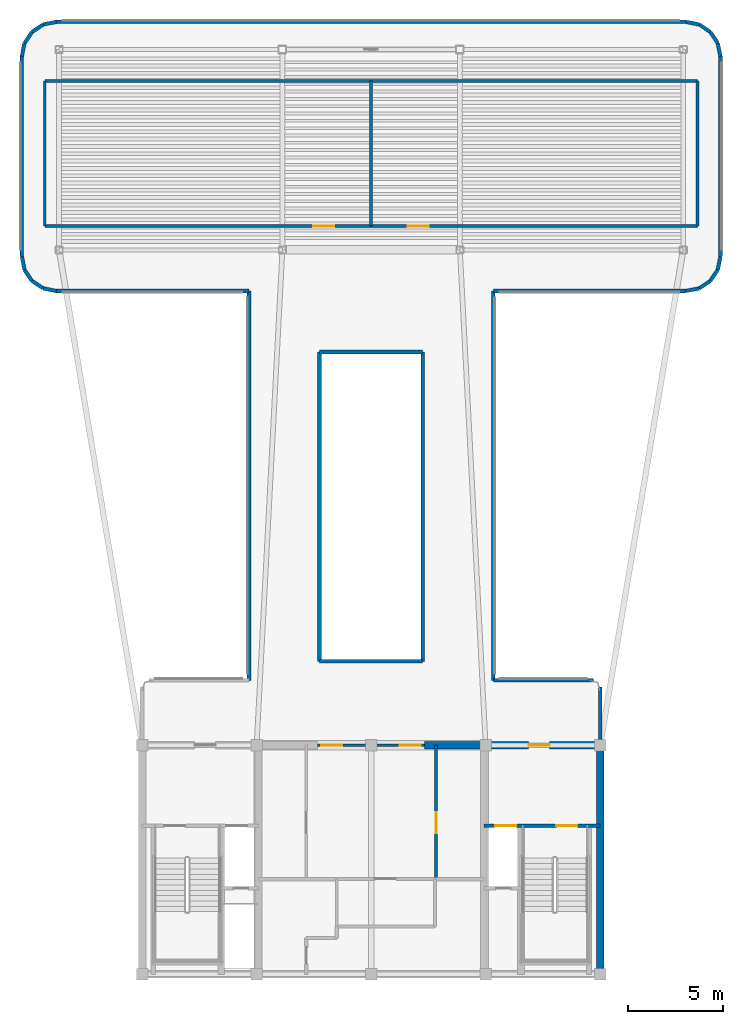
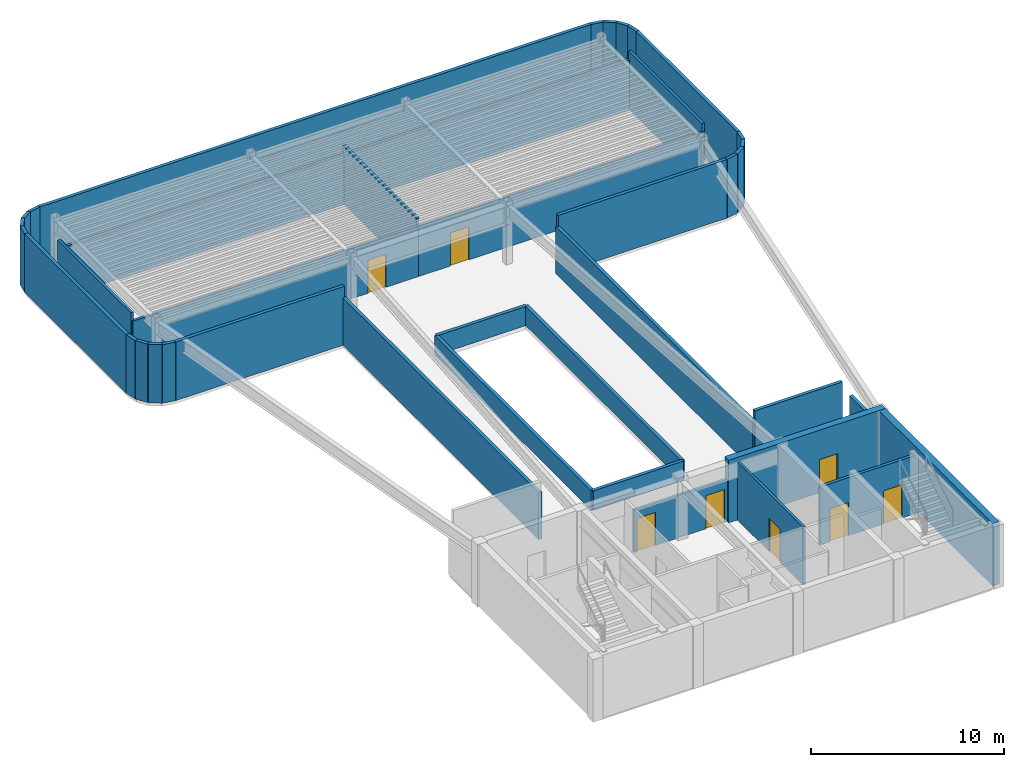
# One storey, part 3 of 6: 41 walls, 8 doors, 8 openings.
"""IFC4 building model written with IfcOpenShell, lengths in metres."""

from ifc_helpers import new_model, si_unit, direction, frame, frame_2d, origin, origin_2d, place, context, subcontext, project, spatial, rectangle, extrude, source, transform, mapped, material, layer, layer_set, type_object, element, fill, save


model = new_model("IFC4")

# Units and contexts
model_context = context("Model", 3, precision=1e-05, world=origin(), true_north=direction((0.0, 1.0)))
body_context = subcontext(model_context, "Body", "Model", "MODEL_VIEW")
ifc_project = project(units=[si_unit("LENGTHUNIT", "METRE"), si_unit("AREAUNIT", "SQUARE_METRE"), si_unit("VOLUMEUNIT", "CUBIC_METRE"), si_unit("PLANEANGLEUNIT", "RADIAN"), si_unit("MASSUNIT", "GRAM", prefix="KILO")], contexts=[model_context])

# Site, building, storey
site_placement = place(None, origin())
site = spatial("IfcSite", under=ifc_project, at=site_placement, CompositionType="ELEMENT")
building_placement = place(site_placement, origin())
building = spatial("IfcBuilding", under=site, at=building_placement, Name="Brelvock Crest Care Tower", CompositionType="ELEMENT")
storey_placement = place(building_placement, frame((0.0, 0.0, 295.919921875)))
storey = spatial("IfcBuildingStorey", under=building, at=storey_placement, Name="L75", CompositionType="ELEMENT", Elevation=295.919921875)

# Wall
ifc_material_1 = material(Name="Concrete S65 (65 MPa)", Category="concrete")
ifc_layer_1 = layer(ifc_material_1, 0.39990234375, Name="WL-CS4")
ifc_layer_set_1 = layer_set([ifc_layer_1], Name="Concrete S65 (65 MPa)")
wall_type_1 = type_object("IfcWallType", Name="WL-CS4", PredefinedType="SHEAR", material=ifc_layer_set_1)
wall_1_placement = place(storey_placement, frame((48.0, 18.0, 0.0), z_axis=(0.0, 0.0, 1.0), x_axis=(0.0, -1.0, 0.0)))
element("IfcWall", 1, at=wall_1_placement, inside=storey, type_object=wall_type_1, Name="L75 Core East Shear Wall", PredefinedType="SHEAR", context=body_context, shape_type="SweptSolid", body=[
    extrude(rectangle(XDim=12.0, YDim=0.39990234375, at=frame_2d((6.0, 0.0))), origin(), (0.0, 0.0, 1.0), 3.9599609375),
])

# Wall, opening, door
wall_2_placement = place(storey_placement, frame((38.800048828125, 18.0, 0.0), z_axis=(0.0, 0.0, 1.0), x_axis=(1.0, 0.0, 0.0)))
wall_2 = element("IfcWall", 2, at=wall_2_placement, inside=storey, type_object=wall_type_1, Name="L75 Core North-East Shear Wall", PredefinedType="SHEAR", context=body_context, shape_type="SweptSolid", body=[
    extrude(rectangle(XDim=9.39990234375, YDim=0.39990234375, at=frame_2d((4.699951171875, 0.0))), origin(), (0.0, 0.0, 1.0), 3.9599609375),
])
opening_1_placement = place(wall_2_placement, frame((5.449951171875, 0.0, 0.0)))
opening_1 = element("IfcOpeningElement", 3, at=opening_1_placement, cuts=wall_2, Name="Opening FD-1", PredefinedType="OPENING", context=body_context, shape_type="SweptSolid", body=[
    extrude(rectangle(XDim=1.10009765625, YDim=2.10009765625, at=origin_2d()), frame((0.550048828125, 0.2099609375, 1.050048828125), z_axis=(0.0, -1.0, 0.0), x_axis=(1.0, 0.0, 0.0)), (0.0, 0.0, 1.0), 0.419921875),
])
ifc_material_2 = material(Name="Steel Grade 350", Category="steel")
door_type_1 = type_object("IfcDoorType", Name="DR-FFL1", OperationType="NOTDEFINED", PredefinedType="DOOR", material=ifc_material_2)
shared_shape_1 = source(origin(), body_context, "Body", "SweptSolid", [
    extrude(rectangle(XDim=1.10009765625, YDim=2.10009765625, at=origin_2d()), frame((0.550048828125, 0.02490234375, 1.050048828125), z_axis=(0.0, -1.0, 0.0), x_axis=(1.0, 0.0, 0.0)), (0.0, 0.0, 1.0), 0.050048828125),
])
door_1_placement = place(opening_1_placement, origin())
door_1 = element("IfcDoor", 4, at=door_1_placement, inside=storey, type_object=door_type_1, Name="L75 Firefighting Lobby FFL-2 Exit Door", OperationType="SINGLE_SWING_RIGHT", OverallHeight=2.10009765625, OverallWidth=1.10009765625, PredefinedType="DOOR", context=body_context, shape_type="MappedRepresentation", body=[
    mapped(shared_shape_1, transform((0.0, 0.0, 0.0), x_axis=(1.0, 0.0, 0.0), y_axis=(0.0, 1.0, 0.0), z_axis=(0.0, 0.0, 1.0), scale=1.0)),
])
fill(opening_1, door_1)

# Walls
ifc_material_3 = material(Name="Precast concrete N40 (40 MPa)", Category="concrete")
ifc_layer_2 = layer(ifc_material_3, 0.195068359375, Name="WL-EX3")
ifc_layer_set_2 = layer_set([ifc_layer_2], Name="Precast concrete N40 (40 MPa)")
wall_type_2 = type_object("IfcWallType", Name="WL-EX3", PredefinedType="SOLIDWALL", material=ifc_layer_set_2)
wall_3_placement = place(storey_placement, frame((48.0, 21.050048828125, 0.0), z_axis=(0.0, 0.0, 1.0), x_axis=(0.0, -1.0, 0.0)))
element("IfcWall", 5, at=wall_3_placement, inside=storey, type_object=wall_type_2, Name="L75 Crown and Plant Cladding Wall 02", PredefinedType="SOLIDWALL", context=body_context, shape_type="SweptSolid", body=[
    extrude(rectangle(XDim=2.77001953125, YDim=0.195068359375, at=frame_2d((1.385009765625, 0.0))), origin(), (0.0, 0.0, 1.0), 2.898193359375),
])
wall_4_placement = place(storey_placement, frame((29.60009765625, 21.39990234375, 0.0), z_axis=(0.0, 0.0, 1.0), x_axis=(0.0, 1.0, 0.0)))
element("IfcWall", 6, at=wall_4_placement, inside=storey, type_object=wall_type_2, Name="L75 Crown and Plant Cladding Wall 12", PredefinedType="SOLIDWALL", context=body_context, shape_type="SweptSolid", body=[
    extrude(rectangle(XDim=20.400146484375, YDim=0.195068359375, at=frame_2d((10.2001953125, 0.0))), origin(), (0.0, 0.0, 1.0), 2.998046875),
])
wall_5_placement = place(storey_placement, frame((29.60009765625, 41.800048828125, 0.0), z_axis=(0.0, 0.0, 1.0), x_axis=(-1.0, 0.0, 0.0)))
element("IfcWall", 7, at=wall_5_placement, inside=storey, type_object=wall_type_2, Name="L75 Crown and Plant Cladding Wall 13", PredefinedType="SOLIDWALL", context=body_context, shape_type="SweptSolid", body=[
    extrude(rectangle(XDim=10.10009765625, YDim=0.195068359375, at=frame_2d((5.050048828125, 0.0))), origin(), (0.0, 0.0, 1.0), 3.7099609375),
])
wall_6_placement = place(storey_placement, frame((19.5, 41.800048828125, 0.0), z_axis=(0.0, 0.0, 1.0), x_axis=(-0.980794046625, 0.195046246068, 0.0)))
element("IfcWall", 8, at=wall_6_placement, inside=storey, type_object=wall_type_2, Name="L75 Crown and Plant Cladding Wall 14", PredefinedType="SOLIDWALL", context=body_context, shape_type="SweptSolid", body=[
    extrude(rectangle(XDim=0.7021484375, YDim=0.195068359375, at=frame_2d((0.35107421875, 0.0))), origin(), (0.0, 0.0, 1.0), 3.7099609375),
])
for number, where, z_axis, x_axis, name in (
    (9, (18.811279296875, 41.93701171875, 0.0), (0.0, 0.0, 1.0), (-0.831515102434, 0.555502146192, 0.0), "L75 Crown and Plant Cladding Wall 15"),
    (10, (18.227294921875, 42.3271484375, 0.0), (0.0, 0.0, 1.0), (-0.555742429414, 0.831354528555, 0.0), "L75 Crown and Plant Cladding Wall 16"),
    (11, (17.8369140625, 42.9111328125, 0.0), (0.0, 0.0, 1.0), (-0.194979757801, 0.980807266515, 0.0), "L75 Crown and Plant Cladding Wall 17"),
):
    element("IfcWall", number, at=place(storey_placement, frame(where, z_axis=z_axis, x_axis=x_axis)), inside=storey, type_object=wall_type_2, Name=name, PredefinedType="SOLIDWALL", context=body_context, shape_type="SweptSolid", body=[
        extrude(rectangle(XDim=0.702392578125, YDim=0.195068359375, at=frame_2d((0.35107421875, 0.0))), origin(), (0.0, 0.0, 1.0), 3.7099609375),
    ])
wall_7_placement = place(storey_placement, frame((17.699951171875, 43.60009765625, 0.0), z_axis=(0.0, 0.0, 1.0), x_axis=(0.0, 1.0, 0.0)))
element("IfcWall", 12, at=wall_7_placement, inside=storey, type_object=wall_type_2, Name="L75 Crown and Plant Cladding Wall 18", PredefinedType="SOLIDWALL", context=body_context, shape_type="SweptSolid", body=[
    extrude(rectangle(XDim=10.5, YDim=0.195068359375, at=frame_2d((5.25, 0.0))), origin(), (0.0, 0.0, 1.0), 3.7099609375),
])
wall_8_placement = place(storey_placement, frame((17.699951171875, 54.10009765625, 0.0), z_axis=(0.0, 0.0, 1.0), x_axis=(0.195046246068, 0.980794046625, 0.0)))
element("IfcWall", 13, at=wall_8_placement, inside=storey, type_object=wall_type_2, Name="L75 Crown and Plant Cladding Wall 19", PredefinedType="SOLIDWALL", context=body_context, shape_type="SweptSolid", body=[
    extrude(rectangle(XDim=0.7021484375, YDim=0.195068359375, at=frame_2d((0.35107421875, 0.0))), origin(), (0.0, 0.0, 1.0), 3.7099609375),
])
for number, where, z_axis, x_axis, name in (
    (14, (17.8369140625, 54.788818359375, 0.0), (0.0, 0.0, 1.0), (0.555742429414, 0.831354528555, 0.0), "L75 Crown and Plant Cladding Wall 20"),
    (15, (18.227294921875, 55.372802734375, 0.0), (0.0, 0.0, 1.0), (0.831515102434, 0.555502146192, 0.0), "L75 Crown and Plant Cladding Wall 21"),
):
    element("IfcWall", number, at=place(storey_placement, frame(where, z_axis=z_axis, x_axis=x_axis)), inside=storey, type_object=wall_type_2, Name=name, PredefinedType="SOLIDWALL", context=body_context, shape_type="SweptSolid", body=[
        extrude(rectangle(XDim=0.702392578125, YDim=0.195068359375, at=frame_2d((0.35107421875, 0.0))), origin(), (0.0, 0.0, 1.0), 3.7099609375),
    ])
wall_9_placement = place(storey_placement, frame((18.811279296875, 55.762939453125, 0.0), z_axis=(0.0, 0.0, 1.0), x_axis=(0.980794046625, 0.195046246068, 0.0)))
element("IfcWall", 16, at=wall_9_placement, inside=storey, type_object=wall_type_2, Name="L75 Crown and Plant Cladding Wall 22", PredefinedType="SOLIDWALL", context=body_context, shape_type="SweptSolid", body=[
    extrude(rectangle(XDim=0.7021484375, YDim=0.195068359375, at=frame_2d((0.35107421875, 0.0))), origin(), (0.0, 0.0, 1.0), 3.7099609375),
])
wall_10_placement = place(storey_placement, frame((19.5, 55.89990234375, 0.0), z_axis=(0.0, 0.0, 1.0), x_axis=(1.0, 0.0, 0.0)))
element("IfcWall", 17, at=wall_10_placement, inside=storey, type_object=wall_type_2, Name="L75 Crown and Plant Cladding Wall 23", PredefinedType="SOLIDWALL", context=body_context, shape_type="SweptSolid", body=[
    extrude(rectangle(XDim=33.0, YDim=0.195068359375, at=frame_2d((16.5, 0.0))), origin(), (0.0, 0.0, 1.0), 3.7099609375),
])
wall_11_placement = place(storey_placement, frame((52.5, 55.89990234375, 0.0), z_axis=(0.0, 0.0, 1.0), x_axis=(0.980794046625, -0.195046246068, 0.0)))
element("IfcWall", 18, at=wall_11_placement, inside=storey, type_object=wall_type_2, Name="L75 Crown and Plant Cladding Wall 24", PredefinedType="SOLIDWALL", context=body_context, shape_type="SweptSolid", body=[
    extrude(rectangle(XDim=0.7021484375, YDim=0.195068359375, at=frame_2d((0.35107421875, 0.0))), origin(), (0.0, 0.0, 1.0), 3.7099609375),
])
for number, where, z_axis, x_axis, name in (
    (19, (53.188720703125, 55.762939453125, 0.0), (0.0, 0.0, 1.0), (0.831515102434, -0.555502146192, 0.0), "L75 Crown and Plant Cladding Wall 25"),
    (20, (53.772705078125, 55.372802734375, 0.0), (0.0, 0.0, 1.0), (0.555742429414, -0.831354528555, 0.0), "L75 Crown and Plant Cladding Wall 26"),
):
    element("IfcWall", number, at=place(storey_placement, frame(where, z_axis=z_axis, x_axis=x_axis)), inside=storey, type_object=wall_type_2, Name=name, PredefinedType="SOLIDWALL", context=body_context, shape_type="SweptSolid", body=[
        extrude(rectangle(XDim=0.702392578125, YDim=0.195068359375, at=frame_2d((0.35107421875, 0.0))), origin(), (0.0, 0.0, 1.0), 3.7099609375),
    ])
wall_12_placement = place(storey_placement, frame((54.1630859375, 54.788818359375, 0.0), z_axis=(0.0, 0.0, 1.0), x_axis=(0.195046246068, -0.980794046625, 0.0)))
element("IfcWall", 21, at=wall_12_placement, inside=storey, type_object=wall_type_2, Name="L75 Crown and Plant Cladding Wall 27", PredefinedType="SOLIDWALL", context=body_context, shape_type="SweptSolid", body=[
    extrude(rectangle(XDim=0.7021484375, YDim=0.195068359375, at=frame_2d((0.35107421875, 0.0))), origin(), (0.0, 0.0, 1.0), 3.7099609375),
])
wall_13_placement = place(storey_placement, frame((54.300048828125, 54.10009765625, 0.0), z_axis=(0.0, 0.0, 1.0), x_axis=(0.0, -1.0, 0.0)))
element("IfcWall", 22, at=wall_13_placement, inside=storey, type_object=wall_type_2, Name="L75 Crown and Plant Cladding Wall 28", PredefinedType="SOLIDWALL", context=body_context, shape_type="SweptSolid", body=[
    extrude(rectangle(XDim=10.5, YDim=0.195068359375, at=frame_2d((5.25, 0.0))), origin(), (0.0, 0.0, 1.0), 3.7099609375),
])
for number, where, z_axis, x_axis, name in (
    (23, (54.300048828125, 43.60009765625, 0.0), (0.0, 0.0, 1.0), (-0.194979757801, -0.980807266515, 0.0), "L75 Crown and Plant Cladding Wall 29"),
    (24, (54.1630859375, 42.9111328125, 0.0), (0.0, 0.0, 1.0), (-0.555742429414, -0.831354528555, 0.0), "L75 Crown and Plant Cladding Wall 30"),
    (25, (53.772705078125, 42.3271484375, 0.0), (0.0, 0.0, 1.0), (-0.831515102434, -0.555502146192, 0.0), "L75 Crown and Plant Cladding Wall 31"),
):
    element("IfcWall", number, at=place(storey_placement, frame(where, z_axis=z_axis, x_axis=x_axis)), inside=storey, type_object=wall_type_2, Name=name, PredefinedType="SOLIDWALL", context=body_context, shape_type="SweptSolid", body=[
        extrude(rectangle(XDim=0.702392578125, YDim=0.195068359375, at=frame_2d((0.35107421875, 0.0))), origin(), (0.0, 0.0, 1.0), 3.7099609375),
    ])
wall_14_placement = place(storey_placement, frame((53.188720703125, 41.93701171875, 0.0), z_axis=(0.0, 0.0, 1.0), x_axis=(-0.980794046625, -0.195046246068, 0.0)))
element("IfcWall", 26, at=wall_14_placement, inside=storey, type_object=wall_type_2, Name="L75 Crown and Plant Cladding Wall 32", PredefinedType="SOLIDWALL", context=body_context, shape_type="SweptSolid", body=[
    extrude(rectangle(XDim=0.7021484375, YDim=0.195068359375, at=frame_2d((0.35107421875, 0.0))), origin(), (0.0, 0.0, 1.0), 3.7099609375),
])
wall_15_placement = place(storey_placement, frame((52.5, 41.800048828125, 0.0), z_axis=(0.0, 0.0, 1.0), x_axis=(-1.0, 0.0, 0.0)))
element("IfcWall", 27, at=wall_15_placement, inside=storey, type_object=wall_type_2, Name="L75 Crown and Plant Cladding Wall 33", PredefinedType="SOLIDWALL", context=body_context, shape_type="SweptSolid", body=[
    extrude(rectangle(XDim=10.10009765625, YDim=0.195068359375, at=frame_2d((5.050048828125, 0.0))), origin(), (0.0, 0.0, 1.0), 3.7099609375),
])
wall_16_placement = place(storey_placement, frame((42.39990234375, 41.800048828125, 0.0), z_axis=(0.0, 0.0, 1.0), x_axis=(0.0, -1.0, 0.0)))
element("IfcWall", 28, at=wall_16_placement, inside=storey, type_object=wall_type_2, Name="L75 Crown and Plant Cladding Wall 34", PredefinedType="SOLIDWALL", context=body_context, shape_type="SweptSolid", body=[
    extrude(rectangle(XDim=20.400146484375, YDim=0.195068359375, at=frame_2d((10.2001953125, 0.0))), origin(), (0.0, 0.0, 1.0), 2.998046875),
])
wall_17_placement = place(storey_placement, frame((42.39990234375, 21.39990234375, 0.0), z_axis=(0.0, 0.0, 1.0), x_axis=(1.0, 0.0, 0.0)))
element("IfcWall", 29, at=wall_17_placement, inside=storey, type_object=wall_type_2, Name="L75 Crown and Plant Cladding Wall 35", PredefinedType="SOLIDWALL", context=body_context, shape_type="SweptSolid", body=[
    extrude(rectangle(XDim=5.25, YDim=0.195068359375, at=frame_2d((2.625, 0.0))), origin(), (0.0, 0.0, 1.0), 3.7099609375),
])

# Wall, opening, door
ifc_material_4 = material(Name="Masonry Blockwork Acoustic Partition", Category="masonry")
ifc_layer_3 = layer(ifc_material_4, 0.14990234375, Name="WL-INT1")
ifc_layer_set_3 = layer_set([ifc_layer_3], Name="Masonry Blockwork Acoustic Partition")
wall_type_3 = type_object("IfcWallType", Name="WL-INT1", PredefinedType="PARTITIONING", material=ifc_layer_set_3)
wall_18_placement = place(storey_placement, frame((39.39990234375, 11.0, 0.0), z_axis=(0.0, 0.0, 1.0), x_axis=(0.0, 1.0, 0.0)))
wall_18 = element("IfcWall", 30, at=wall_18_placement, inside=storey, type_object=wall_type_3, Name="L75 Interior Wall WL-CRCH-W-L75", PredefinedType="PARTITIONING", context=body_context, shape_type="SweptSolid", body=[
    extrude(rectangle(XDim=7.0, YDim=0.14990234375, at=frame_2d((3.5, 0.0))), origin(), (0.0, 0.0, 1.0), 3.68017578125),
])
opening_2_placement = place(wall_18_placement, frame((2.39990234375, 0.0, 0.0)))
opening_2 = element("IfcOpeningElement", 31, at=opening_2_placement, cuts=wall_18, Name="Opening PD-1", PredefinedType="OPENING", context=body_context, shape_type="SweptSolid", body=[
    extrude(rectangle(XDim=1.10009765625, YDim=2.10009765625, at=origin_2d()), frame((0.550048828125, 0.0849609375, 1.050048828125), z_axis=(0.0, -1.0, 0.0), x_axis=(1.0, 0.0, 0.0)), (0.0, 0.0, 1.0), 0.169921875),
])
door_type_2 = type_object("IfcDoorType", Name="DR-PLT1", OperationType="NOTDEFINED", PredefinedType="DOOR", material=ifc_material_2)
shared_shape_2 = source(origin(), body_context, "Body", "SweptSolid", [
    extrude(rectangle(XDim=1.10009765625, YDim=2.10009765625, at=origin_2d()), frame((0.550048828125, 0.02490234375, 1.050048828125), z_axis=(0.0, -1.0, 0.0), x_axis=(1.0, 0.0, 0.0)), (0.0, 0.0, 1.0), 0.050048828125),
])
door_2_placement = place(opening_2_placement, origin())
door_2 = element("IfcDoor", 32, at=door_2_placement, inside=storey, type_object=door_type_2, Name="DR-CRCH-L75", OperationType="SINGLE_SWING_RIGHT", OverallHeight=2.10009765625, OverallWidth=1.10009765625, PredefinedType="DOOR", context=body_context, shape_type="MappedRepresentation", body=[
    mapped(shared_shape_2, transform((0.0, 0.0, 0.0), x_axis=(1.0, 0.0, 0.0), y_axis=(0.0, 1.0, 0.0), z_axis=(0.0, 0.0, 1.0), scale=1.0)),
])
fill(opening_2, door_2)

# Wall, openings, doors
wall_19_placement = place(storey_placement, frame((33.199951171875, 18.0, 0.0), z_axis=(0.0, 0.0, 1.0), x_axis=(1.0, 0.0, 0.0)))
wall_19 = element("IfcWall", 33, at=wall_19_placement, inside=storey, type_object=wall_type_3, Name="L75 Interior Wall WL-CORE-NPORT-L75", PredefinedType="PARTITIONING", context=body_context, shape_type="SweptSolid", body=[
    extrude(rectangle(XDim=5.60009765625, YDim=0.14990234375, at=frame_2d((2.800048828125, 0.0))), origin(), (0.0, 0.0, 1.0), 2.695068359375),
])
opening_3_placement = place(wall_19_placement, frame((0.18994140625, 0.0, 0.0)))
opening_3 = element("IfcOpeningElement", 34, at=opening_3_placement, cuts=wall_19, Name="Opening FD-1", PredefinedType="OPENING", context=body_context, shape_type="SweptSolid", body=[
    extrude(rectangle(XDim=1.10009765625, YDim=2.10009765625, at=origin_2d()), frame((0.550048828125, 0.0849609375, 1.050048828125), z_axis=(0.0, -1.0, 0.0), x_axis=(1.0, 0.0, 0.0)), (0.0, 0.0, 1.0), 0.169921875),
])
opening_4_placement = place(wall_19_placement, frame((4.31005859375, 0.0, 0.0)))
opening_4 = element("IfcOpeningElement", 35, at=opening_4_placement, cuts=wall_19, Name="Opening FD-1", PredefinedType="OPENING", context=body_context, shape_type="SweptSolid", body=[
    extrude(rectangle(XDim=1.10009765625, YDim=2.10009765625, at=origin_2d()), frame((0.550048828125, 0.0849609375, 1.050048828125), z_axis=(0.0, -1.0, 0.0), x_axis=(1.0, 0.0, 0.0)), (0.0, 0.0, 1.0), 0.169921875),
])
door_3_placement = place(opening_3_placement, origin())
door_3 = element("IfcDoor", 36, at=door_3_placement, inside=storey, type_object=door_type_1, Name="L75 Lift Lobby North Smoke Door West", OperationType="SINGLE_SWING_LEFT", OverallHeight=2.10009765625, OverallWidth=1.10009765625, PredefinedType="DOOR", context=body_context, shape_type="MappedRepresentation", body=[
    mapped(shared_shape_1, transform((0.0, 0.0, 0.0), x_axis=(1.0, 0.0, 0.0), y_axis=(0.0, 1.0, 0.0), z_axis=(0.0, 0.0, 1.0), scale=1.0)),
])
fill(opening_3, door_3)
door_4_placement = place(opening_4_placement, origin())
door_4 = element("IfcDoor", 37, at=door_4_placement, inside=storey, type_object=door_type_1, Name="L75 Lift Lobby North Smoke Door East", OperationType="SINGLE_SWING_RIGHT", OverallHeight=2.10009765625, OverallWidth=1.10009765625, PredefinedType="DOOR", context=body_context, shape_type="MappedRepresentation", body=[
    mapped(shared_shape_1, transform((0.0, 0.0, 0.0), x_axis=(1.0, 0.0, 0.0), y_axis=(0.0, 1.0, 0.0), z_axis=(0.0, 0.0, 1.0), scale=1.0)),
])
fill(opening_4, door_4)

# Wall, opening, door
wall_20_placement = place(storey_placement, frame((18.89990234375, 45.199951171875, 0.0), z_axis=(0.0, 0.0, 1.0), x_axis=(1.0, 0.0, 0.0)))
wall_20 = element("IfcWall", 38, at=wall_20_placement, inside=storey, type_object=wall_type_3, Name="L75 Interior Wall WL-RM-L75-CRPW", PredefinedType="PARTITIONING", context=body_context, shape_type="SweptSolid", body=[
    extrude(rectangle(XDim=17.10009765625, YDim=0.14990234375, at=frame_2d((8.550048828125, 0.0))), origin(), (0.0, 0.0, 1.0), 3.162109375),
])
opening_5_placement = place(wall_20_placement, frame((14.070068359375, 0.0, 0.0)))
opening_5 = element("IfcOpeningElement", 39, at=opening_5_placement, cuts=wall_20, Name="Opening PD-1", PredefinedType="OPENING", context=body_context, shape_type="SweptSolid", body=[
    extrude(rectangle(XDim=1.10009765625, YDim=2.10009765625, at=origin_2d()), frame((0.550048828125, 0.0849609375, 1.050048828125), z_axis=(0.0, -1.0, 0.0), x_axis=(1.0, 0.0, 0.0)), (0.0, 0.0, 1.0), 0.169921875),
])
door_5_placement = place(opening_5_placement, origin())
door_5 = element("IfcDoor", 40, at=door_5_placement, inside=storey, type_object=door_type_2, Name="L75 Crown Exhaust Fan Plant Room West Door CRPW", OperationType="SINGLE_SWING_LEFT", OverallHeight=2.10009765625, OverallWidth=1.10009765625, PredefinedType="DOOR", context=body_context, shape_type="MappedRepresentation", body=[
    mapped(shared_shape_2, transform((0.0, 0.0, 0.0), x_axis=(1.0, 0.0, 0.0), y_axis=(0.0, 1.0, 0.0), z_axis=(0.0, 0.0, 1.0), scale=1.0)),
])
fill(opening_5, door_5)

wall_21_placement = place(storey_placement, frame((36.0, 45.199951171875, 0.0), z_axis=(0.0, 0.0, 1.0), x_axis=(1.0, 0.0, 0.0)))
wall_21 = element("IfcWall", 41, at=wall_21_placement, inside=storey, type_object=wall_type_3, Name="L75 Interior Wall WL-RM-L75-CRPE", PredefinedType="PARTITIONING", context=body_context, shape_type="SweptSolid", body=[
    extrude(rectangle(XDim=17.10009765625, YDim=0.14990234375, at=frame_2d((8.550048828125, 0.0))), origin(), (0.0, 0.0, 1.0), 3.162109375),
])
opening_6_placement = place(wall_21_placement, frame((1.929931640625, 0.0, 0.0)))
opening_6 = element("IfcOpeningElement", 42, at=opening_6_placement, cuts=wall_21, Name="Opening PD-1", PredefinedType="OPENING", context=body_context, shape_type="SweptSolid", body=[
    extrude(rectangle(XDim=1.10009765625, YDim=2.10009765625, at=origin_2d()), frame((0.550048828125, 0.0849609375, 1.050048828125), z_axis=(0.0, -1.0, 0.0), x_axis=(1.0, 0.0, 0.0)), (0.0, 0.0, 1.0), 0.169921875),
])
door_6_placement = place(opening_6_placement, origin())
door_6 = element("IfcDoor", 43, at=door_6_placement, inside=storey, type_object=door_type_2, Name="L75 Crown Heat-Recovery Plant Room East Door CRPE", OperationType="SINGLE_SWING_LEFT", OverallHeight=2.10009765625, OverallWidth=1.10009765625, PredefinedType="DOOR", context=body_context, shape_type="MappedRepresentation", body=[
    mapped(shared_shape_2, transform((0.0, 0.0, 0.0), x_axis=(1.0, 0.0, 0.0), y_axis=(0.0, 1.0, 0.0), z_axis=(0.0, 0.0, 1.0), scale=1.0)),
])
fill(opening_6, door_6)

# Walls
for number, where, z_axis, x_axis, name in (
    (44, (18.89990234375, 52.800048828125, 0.0), (0.0, 0.0, 1.0), (1.0, 0.0, 0.0), "L75 Interior Wall WL-BX-L75-CRPW-N"),
    (45, (36.0, 52.800048828125, 0.0), (0.0, 0.0, 1.0), (1.0, 0.0, 0.0), "L75 Interior Wall WL-BX-L75-CRPE-N"),
):
    element("IfcWall", number, at=place(storey_placement, frame(where, z_axis=z_axis, x_axis=x_axis)), inside=storey, type_object=wall_type_3, Name=name, PredefinedType="PARTITIONING", context=body_context, shape_type="SweptSolid", body=[
        extrude(rectangle(XDim=17.10009765625, YDim=0.14990234375, at=frame_2d((8.550048828125, 0.0))), origin(), (0.0, 0.0, 1.0), 3.162109375),
    ])
for number, where, z_axis, x_axis, name in (
    (46, (18.89990234375, 45.199951171875, 0.0), (0.0, 0.0, 1.0), (0.0, 1.0, 0.0), "L75 Interior Wall WL-BX-L75-CRPW-W"),
    (47, (36.0, 45.199951171875, 0.0), (0.0, 0.0, 1.0), (0.0, 1.0, 0.0), "L75 Interior Wall WL-BX-L75-CRPE-W"),
    (48, (53.10009765625, 45.199951171875, 0.0), (0.0, 0.0, 1.0), (0.0, 1.0, 0.0), "L75 Interior Wall WL-BX-L75-CRPE-E"),
):
    element("IfcWall", number, at=place(storey_placement, frame(where, z_axis=z_axis, x_axis=x_axis)), inside=storey, type_object=wall_type_3, Name=name, PredefinedType="PARTITIONING", context=body_context, shape_type="SweptSolid", body=[
        extrude(rectangle(XDim=7.60009765625, YDim=0.14990234375, at=frame_2d((3.800048828125, 0.0))), origin(), (0.0, 0.0, 1.0), 3.68017578125),
    ])
ifc_layer_4 = layer(ifc_material_3, 0.199951171875, Name="WL-PR1")
ifc_layer_set_4 = layer_set([ifc_layer_4], Name="Precast concrete N40 (40 MPa)")
wall_type_4 = type_object("IfcWallType", Name="WL-PR1", PredefinedType="PARAPET", material=ifc_layer_set_4)
wall_22_placement = place(storey_placement, frame((33.300048828125, 22.39990234375, 0.0), z_axis=(0.0, 0.0, 1.0), x_axis=(1.0, 0.0, 0.0)))
element("IfcWall", 49, at=wall_22_placement, inside=storey, type_object=wall_type_4, Name="L75 Wind Portal Safety Parapet 1", PredefinedType="PARAPET", context=body_context, shape_type="SweptSolid", body=[
    extrude(rectangle(XDim=5.39990234375, YDim=0.199951171875, at=frame_2d((2.699951171875, 0.0))), origin(), (0.0, 0.0, 1.0), 1.219970703125),
])
wall_23_placement = place(storey_placement, frame((38.699951171875, 22.39990234375, 0.0), z_axis=(0.0, 0.0, 1.0), x_axis=(0.0, 1.0, 0.0)))
element("IfcWall", 50, at=wall_23_placement, inside=storey, type_object=wall_type_4, Name="L75 Wind Portal Safety Parapet 2", PredefinedType="PARAPET", context=body_context, shape_type="SweptSolid", body=[
    extrude(rectangle(XDim=16.2001953125, YDim=0.199951171875, at=frame_2d((8.10009765625, 0.0))), origin(), (0.0, 0.0, 1.0), 1.219970703125),
])
wall_24_placement = place(storey_placement, frame((38.699951171875, 38.60009765625, 0.0), z_axis=(0.0, 0.0, 1.0), x_axis=(-1.0, 0.0, 0.0)))
element("IfcWall", 51, at=wall_24_placement, inside=storey, type_object=wall_type_4, Name="L75 Wind Portal Safety Parapet 3", PredefinedType="PARAPET", context=body_context, shape_type="SweptSolid", body=[
    extrude(rectangle(XDim=5.39990234375, YDim=0.199951171875, at=frame_2d((2.699951171875, 0.0))), origin(), (0.0, 0.0, 1.0), 1.219970703125),
])
wall_25_placement = place(storey_placement, frame((33.300048828125, 38.60009765625, 0.0), z_axis=(0.0, 0.0, 1.0), x_axis=(0.0, -1.0, 0.0)))
element("IfcWall", 52, at=wall_25_placement, inside=storey, type_object=wall_type_4, Name="L75 Wind Portal Safety Parapet 4", PredefinedType="PARAPET", context=body_context, shape_type="SweptSolid", body=[
    extrude(rectangle(XDim=16.2001953125, YDim=0.199951171875, at=frame_2d((8.10009765625, 0.0))), origin(), (0.0, 0.0, 1.0), 1.219970703125),
])

# Wall, openings, doors
ifc_layer_5 = layer(ifc_material_4, 0.179931640625, Name="WL-SHF1")
ifc_layer_set_5 = layer_set([ifc_layer_5], Name="Masonry Blockwork Acoustic Partition")
wall_type_5 = type_object("IfcWallType", Name="WL-SHF1", PredefinedType="PARTITIONING", material=ifc_layer_set_5)
wall_26_placement = place(storey_placement, frame((41.89990234375, 13.780029296875, 0.0), z_axis=(0.0, 0.0, 1.0), x_axis=(1.0, 0.0, 0.0)))
wall_26 = element("IfcWall", 53, at=wall_26_placement, inside=storey, type_object=wall_type_5, Name="L75 Interior Wall WL-ST2-N-L75", PredefinedType="PARTITIONING", context=body_context, shape_type="SweptSolid", body=[
    extrude(rectangle(XDim=6.10009765625, YDim=0.179931640625, at=frame_2d((3.050048828125, 0.0))), origin(), (0.0, 0.0, 1.0), 3.68017578125),
])
opening_7_placement = place(wall_26_placement, frame((0.60009765625, 0.0, 0.0)))
opening_7 = element("IfcOpeningElement", 54, at=opening_7_placement, cuts=wall_26, Name="Opening LD", PredefinedType="OPENING", context=body_context, shape_type="SweptSolid", body=[
    extrude(rectangle(XDim=1.10009765625, YDim=2.10009765625, at=origin_2d()), frame((0.550048828125, 0.10009765625, 1.050048828125), z_axis=(0.0, -1.0, 0.0), x_axis=(1.0, 0.0, 0.0)), (0.0, 0.0, 1.0), 0.199951171875),
])
opening_8_placement = place(wall_26_placement, frame((3.800048828125, 0.0, 0.0)))
opening_8 = element("IfcOpeningElement", 55, at=opening_8_placement, cuts=wall_26, Name="Opening SD-1", PredefinedType="OPENING", context=body_context, shape_type="SweptSolid", body=[
    extrude(rectangle(XDim=1.10009765625, YDim=2.10009765625, at=origin_2d()), frame((0.550048828125, 0.10009765625, 1.050048828125), z_axis=(0.0, -1.0, 0.0), x_axis=(1.0, 0.0, 0.0)), (0.0, 0.0, 1.0), 0.199951171875),
])
door_type_3 = type_object("IfcDoorType", Name="DR-ST1", OperationType="NOTDEFINED", PredefinedType="DOOR", material=ifc_material_2)
shared_shape_3 = source(origin(), body_context, "Body", "SweptSolid", [
    extrude(rectangle(XDim=1.10009765625, YDim=2.10009765625, at=origin_2d()), frame((0.550048828125, 0.02490234375, 1.050048828125), z_axis=(0.0, -1.0, 0.0), x_axis=(1.0, 0.0, 0.0)), (0.0, 0.0, 1.0), 0.050048828125),
])
door_7_placement = place(opening_8_placement, origin())
door_7 = element("IfcDoor", 56, at=door_7_placement, inside=storey, type_object=door_type_3, Name="L75 Fire Stair ST-2 Door", OperationType="SINGLE_SWING_RIGHT", OverallHeight=2.10009765625, OverallWidth=1.10009765625, PredefinedType="DOOR", context=body_context, shape_type="MappedRepresentation", body=[
    mapped(shared_shape_3, transform((0.0, 0.0, 0.0), x_axis=(1.0, 0.0, 0.0), y_axis=(0.0, 1.0, 0.0), z_axis=(0.0, 0.0, 1.0), scale=1.0)),
])
fill(opening_8, door_7)
door_type_4 = type_object("IfcDoorType", Name="DR-LD1", OperationType="NOTDEFINED", PredefinedType="DOOR", material=ifc_material_2)
shared_shape_4 = source(origin(), body_context, "Body", "SweptSolid", [
    extrude(rectangle(XDim=1.10009765625, YDim=2.10009765625, at=origin_2d()), frame((0.550048828125, 0.02490234375, 1.050048828125), z_axis=(0.0, -1.0, 0.0), x_axis=(1.0, 0.0, 0.0)), (0.0, 0.0, 1.0), 0.050048828125),
])
door_8_placement = place(opening_7_placement, origin())
door_8 = element("IfcDoor", 57, at=door_8_placement, inside=storey, type_object=door_type_4, Name="L75 Firefighting Lift FFL-2 Landing Door", OperationType="SLIDING_TO_RIGHT", OverallHeight=2.10009765625, OverallWidth=1.10009765625, PredefinedType="DOOR", context=body_context, shape_type="MappedRepresentation", body=[
    mapped(shared_shape_4, transform((0.0, 0.0, 0.0), x_axis=(1.0, 0.0, 0.0), y_axis=(0.0, 1.0, 0.0), z_axis=(0.0, 0.0, 1.0), scale=1.0)),
])
fill(opening_7, door_8)

save(model, "model.ifc")
